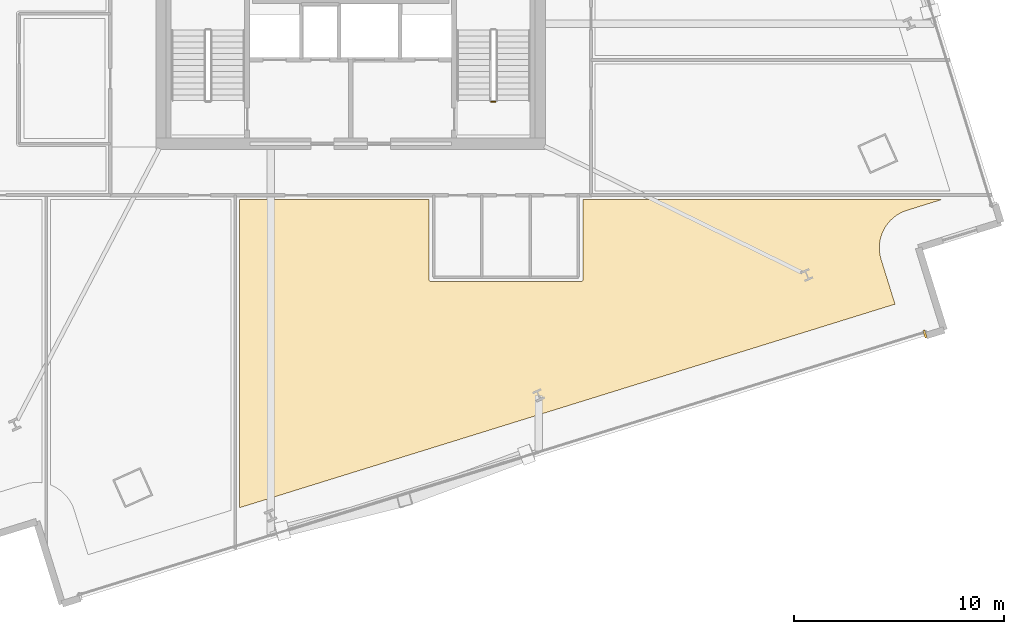
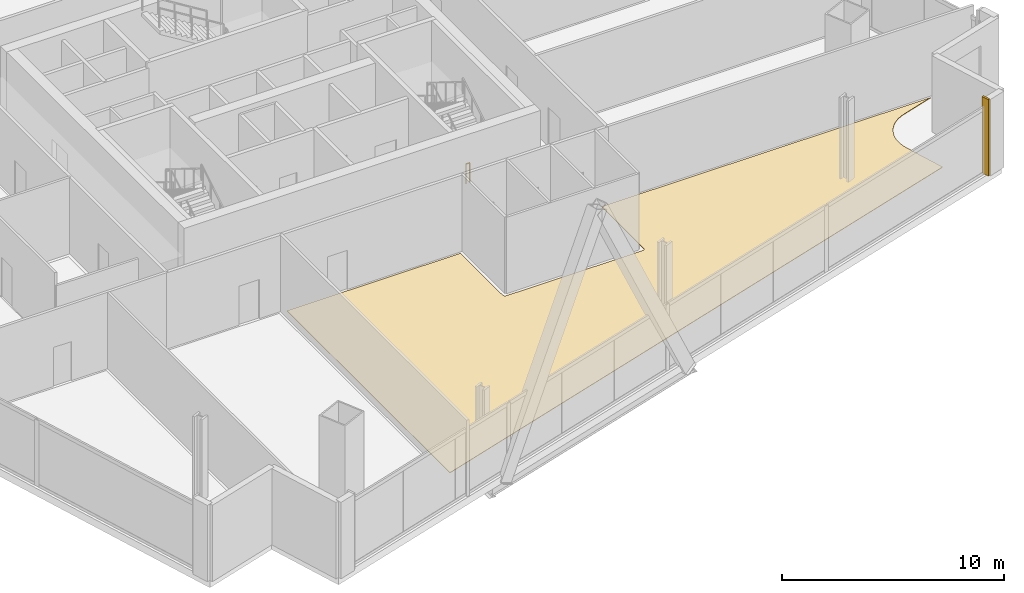
# One storey, part 22 of 26: 2 coverings, 1 railing.
"""IFC4 building model written with IfcOpenShell, lengths in metres."""

from ifc_helpers import new_model, si_unit, direction, frame, origin, origin_2d, place, context, subcontext, project, spatial, polyline, rectangle, outline, extrude, source, transform, mapped, material, layer, layer_set, type_object, element, save


model = new_model("IFC4")

# Units and contexts
model_context = context("Model", 3, precision=1e-05, world=origin(), true_north=direction((0.0, 1.0)))
body_context = subcontext(model_context, "Body", "Model", "MODEL_VIEW")
ifc_project = project(units=[si_unit("LENGTHUNIT", "METRE"), si_unit("AREAUNIT", "SQUARE_METRE"), si_unit("VOLUMEUNIT", "CUBIC_METRE"), si_unit("PLANEANGLEUNIT", "RADIAN"), si_unit("MASSUNIT", "GRAM", prefix="KILO")], contexts=[model_context])

# Site, building, storey
site_placement = place(None, origin())
site = spatial("IfcSite", under=ifc_project, at=site_placement, CompositionType="ELEMENT")
building_placement = place(site_placement, origin())
building = spatial("IfcBuilding", under=site, at=building_placement, Name="Haldenkirk Collegiate Tower", CompositionType="ELEMENT")
storey_placement = place(building_placement, frame((0.0, 0.0, 85.949951171875)))
storey = spatial("IfcBuildingStorey", under=building, at=storey_placement, Name="L20", CompositionType="ELEMENT", Elevation=85.949951171875)

# Covering
ifc_material_1 = material(Name="Polished collegiate terrazzo", Category="concrete")
ifc_layer_1 = layer(ifc_material_1, 0.02490234375)
ifc_layer_set_1 = layer_set([ifc_layer_1], Name="Polished collegiate terrazzo")
covering_type_1 = type_object("IfcCoveringType", Name="COV-FLOOR-TERRAZZO", PredefinedType="FLOORING", material=ifc_layer_set_1)
covering_1_placement = place(storey_placement, origin())
element("IfcCovering", 1, at=covering_1_placement, inside=storey, type_object=covering_type_1, Name="L20 academic room finish 04", PredefinedType="FLOORING", context=body_context, shape_type="SweptSolid", body=[
    extrude(outline(polyline([(39.72998046875, 11.550048828125), (39.730712890625, 11.5380859375), (39.732421875, 11.526611328125), (39.735107421875, 11.51513671875), (39.739013671875, 11.504150390625), (39.744140625, 11.493408203125), (39.750244140625, 11.4833984375), (39.757080078125, 11.473876953125), (39.76513671875, 11.465087890625), (39.77392578125, 11.457275390625), (39.783203125, 11.4501953125), (39.79345703125, 11.444091796875), (39.80419921875, 11.439208984375), (39.815185546875, 11.435302734375), (39.82666015625, 11.432373046875), (39.838134765625, 11.4306640625), (39.85009765625, 11.429931640625), (46.949951171875, 11.429931640625), (46.9619140625, 11.4306640625), (46.973388671875, 11.432373046875), (46.98486328125, 11.435302734375), (46.995849609375, 11.439208984375), (47.006591796875, 11.444091796875), (47.0166015625, 11.4501953125), (47.026123046875, 11.457275390625), (47.034912109375, 11.465087890625), (47.042724609375, 11.473876953125), (47.0498046875, 11.4833984375), (47.055908203125, 11.493408203125), (47.060791015625, 11.504150390625), (47.064697265625, 11.51513671875), (47.067626953125, 11.526611328125), (47.0693359375, 11.5380859375), (47.070068359375, 11.550048828125), (47.070068359375, 15.35009765625), (64.188720703125, 15.35009765625), (62.50537109375, 14.827392578125), (62.5, 14.825439453125), (62.33837890625, 14.7666015625), (62.327392578125, 14.761962890625), (62.1728515625, 14.6875), (62.16259765625, 14.681884765625), (62.015869140625, 14.5927734375), (62.006103515625, 14.586181640625), (61.868896484375, 14.48291015625), (61.859619140625, 14.475341796875), (61.733154296875, 14.359130859375), (61.72509765625, 14.350830078125), (61.610595703125, 14.222900390625), (61.60302734375, 14.213623046875), (61.501708984375, 14.0751953125), (61.4951171875, 14.065185546875), (61.407958984375, 13.917236328125), (61.40234375, 13.906982421875), (61.330078125, 13.751220703125), (61.32568359375, 13.740234375), (61.268798828125, 13.578125), (61.265380859375, 13.56689453125), (61.224609375, 13.400146484375), (61.222412109375, 13.388427734375), (61.198486328125, 13.218505859375), (61.197265625, 13.206787109375), (61.18994140625, 13.03515625), (61.190185546875, 13.0234375), (61.19970703125, 12.851806640625), (61.200927734375, 12.840087890625), (61.227294921875, 12.67041015625), (61.2294921875, 12.658935546875), (61.2724609375, 12.49267578125), (61.27392578125, 12.487060546875), (61.935302734375, 10.357177734375), (30.699951171875, 0.658447265625), (30.699951171875, 15.35009765625), (39.72998046875, 15.35009765625), (39.72998046875, 11.550048828125)])), origin(), (0.0, 0.0, 1.0), 0.025146484375),
])

# Railing
ifc_material_2 = material(Name="Painted architectural tubular steel", Category="steel")
railing_type = type_object("IfcRailingType", Name="RLG-STAIR-GUARD-1100", PredefinedType="BALUSTRADE", material=ifc_material_2)
railing_placement = place(storey_placement, frame((42.89990234375, 20.0, 0.0)))
element("IfcRailing", 2, at=railing_placement, inside=storey, type_object=railing_type, Name="L20 ST-2 stair guard 4", PredefinedType="BALUSTRADE", context=body_context, shape_type="SweptSolid", body=[
    extrude(rectangle(XDim=0.048095703125, YDim=0.048095703125, at=origin_2d()), frame((0.0, 0.0, 1.076171875), z_axis=(-1.0, 0.0, 0.0), x_axis=(0.0, -1.0, 0.0)), (0.0, 0.0, 1.0), 0.199951171875),
    extrude(rectangle(XDim=0.0419921875, YDim=0.0419921875, at=origin_2d()), origin(), (0.0, 0.0, 1.0), 1.052001953125),
    extrude(rectangle(XDim=0.0419921875, YDim=0.0419921875, at=origin_2d()), frame((-0.199951171875, 0.0, 0.0)), (0.0, 0.0, 1.0), 1.052001953125),
])

# Covering
ifc_material_3 = material(Name="Anodised architectural bronze aluminium", Category="aluminium")
ifc_layer_2 = layer(ifc_material_3, 0.06005859375)
ifc_layer_set_2 = layer_set([ifc_layer_2], Name="Anodised architectural bronze aluminium")
covering_type_2 = type_object("IfcCoveringType", Name="COV-CLAD-BRONZE-60", PredefinedType="CLADDING", material=ifc_layer_set_2)
shared_shape = source(origin(), body_context, "Body", "SweptSolid", [
    extrude(rectangle(XDim=0.10009765625, YDim=0.3798828125, at=origin_2d()), origin(), (0.0, 0.0, 1.0), 4.199951171875),
])
covering_2_placement = place(storey_placement, frame((63.36083984375, 8.93603515625, 0.0), z_axis=(0.0, 0.0, 1.0), x_axis=(-0.955019944457, -0.296541574976, 0.0)))
element("IfcCovering", 3, at=covering_2_placement, inside=storey, type_object=covering_type_2, Name="L20 recessed curtain-wall bronze jamb closure SJL", PredefinedType="CLADDING", context=body_context, shape_type="MappedRepresentation", body=[
    mapped(shared_shape, transform((0.0, 0.0, 0.0), x_axis=(1.0, 0.0, 0.0), y_axis=(0.0, 1.0, 0.0), z_axis=(0.0, 0.0, 1.0), scale=1.0)),
])

save(model, "model.ifc")
